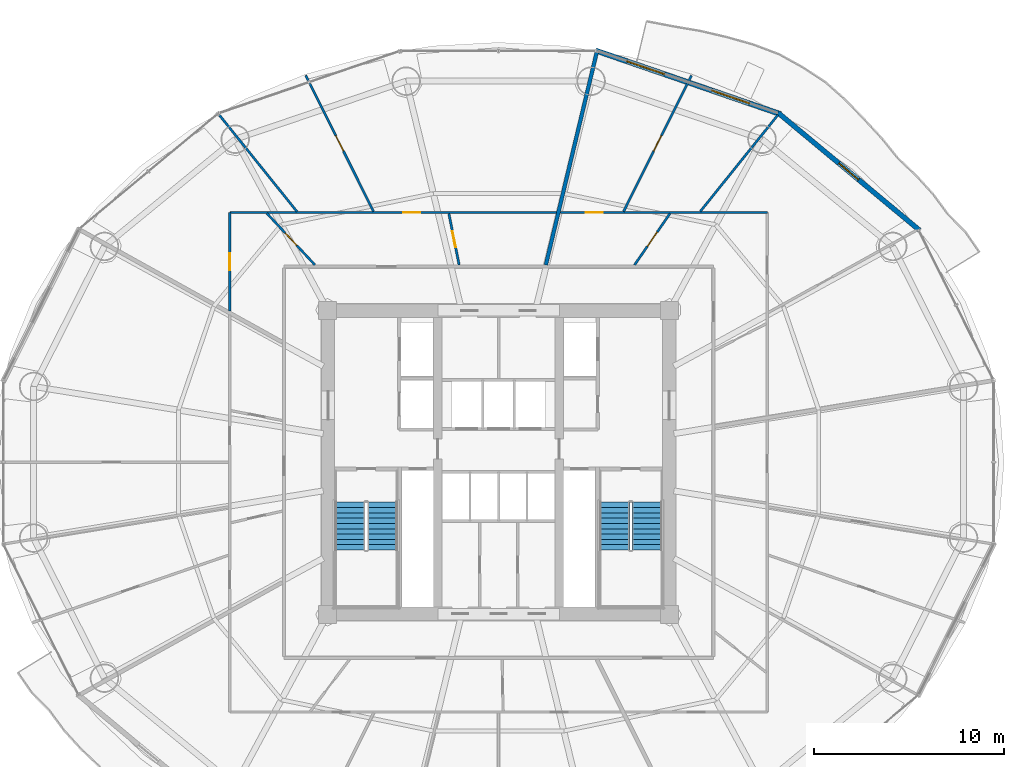
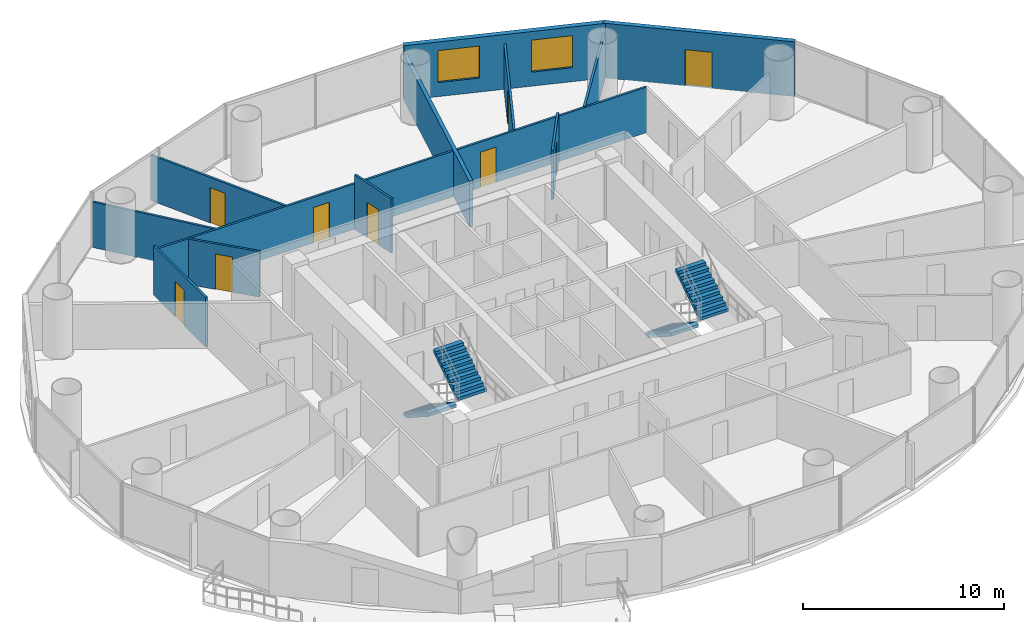
# One storey, part 24 of 28: 13 walls, 9 doors, 4 stair flights, 2 windows, 11 openings, 2 elements without a shape of their own.
"""IFC4 building model written with IfcOpenShell, lengths in metres."""

from ifc_helpers import new_model, si_unit, direction, frame, frame_2d, origin, place, context, subcontext, project, spatial, polyline, rectangle, outline, extrude, source, transform, mapped, material, layer, layer_set, type_object, element, fill, aggregate, save


model = new_model("IFC4")

# Units and contexts
model_context = context("Model", 3, precision=1e-05, world=origin(), true_north=direction((-0.2419218956, 0.970295726276)))
body_context = subcontext(model_context, "Body", "Model", "MODEL_VIEW")
ifc_project = project(units=[si_unit("LENGTHUNIT", "METRE"), si_unit("AREAUNIT", "SQUARE_METRE"), si_unit("VOLUMEUNIT", "CUBIC_METRE"), si_unit("PLANEANGLEUNIT", "RADIAN"), si_unit("MASSUNIT", "GRAM", prefix="KILO")], contexts=[model_context])

# Site, building, storey
site_placement = place(None, origin())
site = spatial("IfcSite", under=ifc_project, at=site_placement, CompositionType="ELEMENT")
building_placement = place(site_placement, origin())
building = spatial("IfcBuilding", under=site, at=building_placement, Name="Cobrevalo Terracotta Tower", CompositionType="ELEMENT")
storey_placement = place(building_placement, frame((0.0, 0.0, 108.60009765625)))
storey = spatial("IfcBuildingStorey", under=building, at=storey_placement, Name="L28", CompositionType="ELEMENT", Elevation=108.60009765625)

# Wall
ifc_material_1 = material(Name="Autoclaved aerated concrete block", Category="concrete")
ifc_layer_1 = layer(ifc_material_1, 0.199951171875)
ifc_layer_set_1 = layer_set([ifc_layer_1], Name="Autoclaved aerated concrete block")
wall_type_1 = type_object("IfcWallType", Name="Fire-rated stair, shaft & demising masonry wall 200 mm", PredefinedType="PARTITIONING", material=ifc_layer_set_1)
wall_1_placement = place(storey_placement, frame((40.486328125, 37.18505859375, 0.0), z_axis=(0.0, 0.0, 1.0), x_axis=(0.232834224261, 0.972516438942, 0.0)))
element("IfcWall", 1, at=wall_1_placement, inside=storey, type_object=wall_type_1, Name="L28 interior partition IW-L28-DEM-2", PredefinedType="PARTITIONING", context=body_context, shape_type="SweptSolid", body=[
    extrude(rectangle(XDim=11.501708984375, YDim=0.199951171875, at=frame_2d((5.7509765625, 0.0))), origin(), (0.0, 0.0, 1.0), 2.766845703125),
])

# Wall, openings, windows
ifc_layer_2 = layer(ifc_material_1, 0.280029296875)
ifc_layer_set_2 = layer_set([ifc_layer_2], Name="Autoclaved aerated concrete block")
wall_type_2 = type_object("IfcWallType", Name="Insulated tower spandrel & pier wall 280 mm with terracotta rainscreen", PredefinedType="SOLIDWALL", material=ifc_layer_set_2)
wall_2_placement = place(storey_placement, frame((52.837158203125, 45.12451171875, 0.0), z_axis=(0.0, 0.0, 1.0), x_axis=(-0.945597432299, 0.325339047809, 0.0)))
wall_2 = element("IfcWall", 2, at=wall_2_placement, inside=storey, type_object=wall_type_2, Name="L28 terracotta rainscreen pier wall S03", PredefinedType="SOLIDWALL", context=body_context, shape_type="SweptSolid", body=[
    extrude(rectangle(XDim=10.2890625, YDim=0.280029296875, at=frame_2d((5.14453125, 0.0))), origin(), (0.0, 0.0, 1.0), 3.324951171875),
])
opening_1_placement = place(wall_2_placement, frame((1.72802734375, 0.0, 0.85009765625)))
opening_1 = element("IfcOpeningElement", 3, at=opening_1_placement, cuts=wall_2, Name="Opening WN-10", PredefinedType="OPENING", context=body_context, shape_type="SweptSolid", body=[
    extrude(rectangle(XDim=2.10009765625, YDim=1.949951171875, at=frame_2d((1.050048828125, 0.97509765625))), frame((0.0, 0.14990234375, 0.0), z_axis=(0.0, -1.0, 0.0), x_axis=(1.0, 0.0, 0.0)), (0.0, 0.0, 1.0), 0.300048828125),
])
opening_2_placement = place(wall_2_placement, frame((6.4609375, 0.0, 0.85009765625)))
opening_2 = element("IfcOpeningElement", 4, at=opening_2_placement, cuts=wall_2, Name="Opening WN-10", PredefinedType="OPENING", context=body_context, shape_type="SweptSolid", body=[
    extrude(rectangle(XDim=2.10009765625, YDim=1.949951171875, at=frame_2d((1.050048828125, 0.97509765625))), frame((0.0, 0.14990234375, 0.0), z_axis=(0.0, -1.0, 0.0), x_axis=(1.0, 0.0, 0.0)), (0.0, 0.0, 1.0), 0.300048828125),
])
ifc_material_2 = material(Name="Solar-control low-E double glazing", Category="glass")
window_type = type_object("IfcWindowType", Name="Wide panoramic low-E aluminium window 2100x1950", PartitioningType="SINGLE_PANEL", PredefinedType="WINDOW", material=ifc_material_2)
shared_shape_1 = source(origin(), body_context, "Body", "SweptSolid", [
    extrude(rectangle(XDim=2.10009765625, YDim=1.949951171875, at=frame_2d((1.050048828125, 0.97509765625))), frame((0.0, 0.030029296875, 0.0), z_axis=(0.0, -1.0, 0.0), x_axis=(1.0, 0.0, 0.0)), (0.0, 0.0, 1.0), 0.06005859375),
])
window_1_placement = place(opening_1_placement, origin())
window_1 = element("IfcWindow", 5, at=window_1_placement, inside=storey, type_object=window_type, Name="L28 suite window S03A", OverallHeight=1.949951171875, OverallWidth=2.10009765625, PartitioningType="SINGLE_PANEL", PredefinedType="WINDOW", context=body_context, shape_type="MappedRepresentation", body=[
    mapped(shared_shape_1, transform((0.0, 0.0, 0.0), scale=1.0)),
])
fill(opening_1, window_1)
window_2_placement = place(opening_2_placement, origin())
window_2 = element("IfcWindow", 6, at=window_2_placement, inside=storey, type_object=window_type, Name="L28 suite window S03B", OverallHeight=1.949951171875, OverallWidth=2.10009765625, PartitioningType="SINGLE_PANEL", PredefinedType="WINDOW", context=body_context, shape_type="MappedRepresentation", body=[
    mapped(shared_shape_1, transform((0.0, 0.0, 0.0), scale=1.0)),
])
fill(opening_2, window_2)

# Wall, opening, door
ifc_layer_3 = layer(ifc_material_1, 0.260009765625)
ifc_layer_set_3 = layer_set([ifc_layer_3], Name="Autoclaved aerated concrete block")
wall_type_3 = type_object("IfcWallType", Name="Recessed balcony loggia insulated exterior wall 260 mm", PredefinedType="SOLIDWALL", material=ifc_layer_set_3)
wall_3_placement = place(storey_placement, frame((60.15380859375, 39.01025390625, 0.0), z_axis=(0.0, 0.0, 1.0), x_axis=(-0.769242574941, 0.638956853706, 0.0)))
wall_3 = element("IfcWall", 7, at=wall_3_placement, inside=storey, type_object=wall_type_3, Name="L28 balcony loggia wall S02", PredefinedType="SOLIDWALL", context=body_context, shape_type="SweptSolid", body=[
    extrude(rectangle(XDim=9.68994140625, YDim=0.260009765625, at=frame_2d((4.844970703125, 0.0))), origin(), (0.0, 0.0, 1.0), 3.324951171875),
])
opening_3_placement = place(wall_3_placement, frame((4.169921875, 0.0, 0.0)))
opening_3 = element("IfcOpeningElement", 8, at=opening_3_placement, cuts=wall_3, Name="Opening ED-05", PredefinedType="OPENING", context=body_context, shape_type="SweptSolid", body=[
    extrude(rectangle(XDim=1.35009765625, YDim=2.199951171875, at=frame_2d((0.675048828125, 1.10009765625))), frame((0.0, 0.14013671875, 0.0), z_axis=(0.0, -1.0, 0.0), x_axis=(1.0, 0.0, 0.0)), (0.0, 0.0, 1.0), 0.280029296875),
])
ifc_material_3 = material(Name="Anodized aluminium and laminated glass", Category="aluminium")
door_type_1 = type_object("IfcDoorType", Name="Suite balcony acoustic glazed terrace door 1350x2200", OperationType="NOTDEFINED", PredefinedType="DOOR", material=ifc_material_3)
shared_shape_2 = source(origin(), body_context, "Body", "SweptSolid", [
    extrude(rectangle(XDim=1.35009765625, YDim=2.199951171875, at=frame_2d((0.675048828125, 1.10009765625))), frame((0.0, 0.02490234375, 0.0), z_axis=(0.0, -1.0, 0.0), x_axis=(1.0, 0.0, 0.0)), (0.0, 0.0, 1.0), 0.050048828125),
])
door_1_placement = place(opening_3_placement, frame((1.35009765625, 0.0, 0.0), z_axis=(0.0, 0.0, 1.0), x_axis=(-1.0, 0.0, 0.0)))
door_1 = element("IfcDoor", 9, at=door_1_placement, inside=storey, type_object=door_type_1, Name="L28 glazed balcony terrace door 1", OperationType="SINGLE_SWING_LEFT", OverallHeight=2.199951171875, OverallWidth=1.35009765625, PredefinedType="DOOR", context=body_context, shape_type="MappedRepresentation", body=[
    mapped(shared_shape_2, transform((0.0, 0.0, 0.0), scale=1.0)),
])
fill(opening_3, door_1)

ifc_material_4 = material(Name="Gypsum board on steel stud", Category="steel")
ifc_layer_4 = layer(ifc_material_4, 0.1201171875)
ifc_layer_set_4 = layer_set([ifc_layer_4], Name="Gypsum board on steel stud")
wall_type_4 = type_object("IfcWallType", Name="Residential internal acoustic stud partition 120 mm", PredefinedType="PARTITIONING", material=ifc_layer_set_4)
wall_4_placement = place(storey_placement, frame((41.2490234375, 39.945068359375, 0.0), z_axis=(0.0, 0.0, 1.0), x_axis=(1.0, 0.0, 0.0)))
wall_4 = element("IfcWall", 10, at=wall_4_placement, inside=storey, type_object=wall_type_4, Name="L28 interior partition IW-L28-U1-RING0_0", PredefinedType="PARTITIONING", context=body_context, shape_type="SweptSolid", body=[
    extrude(rectangle(XDim=10.89599609375, YDim=0.1201171875, at=frame_2d((5.447998046875, 0.0))), origin(), (0.0, 0.0, 1.0), 2.766845703125),
])
opening_4_placement = place(wall_4_placement, frame((1.336181640625, 0.0, 0.0)))
opening_4 = element("IfcOpeningElement", 11, at=opening_4_placement, cuts=wall_4, Name="Opening ID-12", PredefinedType="OPENING", context=body_context, shape_type="SweptSolid", body=[
    extrude(rectangle(XDim=0.89990234375, YDim=2.14990234375, at=frame_2d((0.449951171875, 1.074951171875))), frame((0.0, 0.070068359375, 0.0), z_axis=(0.0, -1.0, 0.0), x_axis=(1.0, 0.0, 0.0)), (0.0, 0.0, 1.0), 0.14013671875),
])
ifc_material_5 = material(Name="Engineered timber", Category="wood")
door_type_2 = type_object("IfcDoorType", Name="Internal residence & suite timber door 900x2150", OperationType="NOTDEFINED", PredefinedType="DOOR", material=ifc_material_5)
shared_shape_3 = source(origin(), body_context, "Body", "SweptSolid", [
    extrude(rectangle(XDim=0.89990234375, YDim=2.14990234375, at=frame_2d((0.449951171875, 1.074951171875))), frame((0.0, 0.02490234375, 0.0), z_axis=(0.0, -1.0, 0.0), x_axis=(1.0, 0.0, 0.0)), (0.0, 0.0, 1.0), 0.050048828125),
])
door_2_placement = place(opening_4_placement, origin())
door_2 = element("IfcDoor", 12, at=door_2_placement, inside=storey, type_object=door_type_2, Name="Flat L28A Penthouse Family Lounge internal door", OperationType="SINGLE_SWING_LEFT", OverallHeight=2.14990234375, OverallWidth=0.89990234375, PredefinedType="DOOR", context=body_context, shape_type="MappedRepresentation", body=[
    mapped(shared_shape_3, transform((0.0, 0.0, 0.0), scale=1.0)),
])
fill(opening_4, door_2)

# Wall
wall_5_placement = place(storey_placement, frame((48.610595703125, 39.993408203125, 0.0), z_axis=(0.0, 0.0, 1.0), x_axis=(0.626719700294, 0.779244773651, 0.0)))
element("IfcWall", 13, at=wall_5_placement, inside=storey, type_object=wall_type_4, Name="L28 interior partition IW-L28-U1-ORAD2", PredefinedType="PARTITIONING", context=body_context, shape_type="SweptSolid", body=[
    extrude(rectangle(XDim=6.537109375, YDim=0.1201171875, at=frame_2d((3.2685546875, 0.0))), origin(), (0.0, 0.0, 1.0), 2.766845703125),
])

# Wall, opening, door
wall_6_placement = place(storey_placement, frame((44.5810546875, 40.00048828125, 0.0), z_axis=(0.0, 0.0, 1.0), x_axis=(0.446188142997, 0.894939182877, 0.0)))
wall_6 = element("IfcWall", 14, at=wall_6_placement, inside=storey, type_object=wall_type_4, Name="L28 interior partition IW-L28-U1-ORAD3M1", PredefinedType="PARTITIONING", context=body_context, shape_type="SweptSolid", body=[
    extrude(rectangle(XDim=8.001708984375, YDim=0.1201171875, at=frame_2d((4.0009765625, 0.0))), origin(), (0.0, 0.0, 1.0), 2.766845703125),
])
opening_5_placement = place(wall_6_placement, frame((3.55078125, 0.0, 0.0)))
opening_5 = element("IfcOpeningElement", 15, at=opening_5_placement, cuts=wall_6, Name="Opening ID-12", PredefinedType="OPENING", context=body_context, shape_type="SweptSolid", body=[
    extrude(rectangle(XDim=0.89990234375, YDim=2.14990234375, at=frame_2d((0.449951171875, 1.074951171875))), frame((0.0, 0.070068359375, 0.0), z_axis=(0.0, -1.0, 0.0), x_axis=(1.0, 0.0, 0.0)), (0.0, 0.0, 1.0), 0.14013671875),
])
door_3_placement = place(opening_5_placement, frame((0.89990234375, 0.0, 0.0), z_axis=(0.0, 0.0, 1.0), x_axis=(-1.0, 0.0, 0.0)))
door_3 = element("IfcDoor", 16, at=door_3_placement, inside=storey, type_object=door_type_2, Name="Flat L28A Principal Guest Bedroom internal door", OperationType="SINGLE_SWING_LEFT", OverallHeight=2.14990234375, OverallWidth=0.89990234375, PredefinedType="DOOR", context=body_context, shape_type="MappedRepresentation", body=[
    mapped(shared_shape_3, transform((0.0, 0.0, 0.0), scale=1.0)),
])
fill(opening_5, door_3)

wall_7_placement = place(storey_placement, frame((45.1552734375, 37.18505859375, 0.0), z_axis=(0.0, 0.0, 1.0), x_axis=(0.567360037454, 0.823469846382, 0.0)))
wall_7 = element("IfcWall", 17, at=wall_7_placement, inside=storey, type_object=wall_type_4, Name="L28 interior partition IW-L28-U1-IRAD2", PredefinedType="PARTITIONING", context=body_context, shape_type="SweptSolid", body=[
    extrude(rectangle(XDim=3.289794921875, YDim=0.1201171875, at=frame_2d((1.64501953125, 0.0))), origin(), (0.0, 0.0, 1.0), 3.00390625),
])
opening_6_placement = place(wall_7_placement, frame((1.19482421875, 0.0, 0.0)))
opening_6 = element("IfcOpeningElement", 18, at=opening_6_placement, cuts=wall_7, Name="Opening ID-12", PredefinedType="OPENING", context=body_context, shape_type="SweptSolid", body=[
    extrude(rectangle(XDim=0.89990234375, YDim=2.14990234375, at=frame_2d((0.449951171875, 1.074951171875))), frame((0.0, 0.070068359375, 0.0), z_axis=(0.0, -1.0, 0.0), x_axis=(1.0, 0.0, 0.0)), (0.0, 0.0, 1.0), 0.14013671875),
])
door_4_placement = place(opening_6_placement, origin())
door_4 = element("IfcDoor", 19, at=door_4_placement, inside=storey, type_object=door_type_2, Name="Flat L28A Kitchen internal door", OperationType="SINGLE_SWING_RIGHT", OverallHeight=2.14990234375, OverallWidth=0.89990234375, PredefinedType="DOOR", context=body_context, shape_type="MappedRepresentation", body=[
    mapped(shared_shape_3, transform((0.0, 0.0, 0.0), scale=1.0)),
])
fill(opening_6, door_4)

wall_8_placement = place(storey_placement, frame((23.85498046875, 34.75439453125, 0.0), z_axis=(0.0, 0.0, 1.0), x_axis=(0.0, 1.0, 0.0)))
wall_8 = element("IfcWall", 20, at=wall_8_placement, inside=storey, type_object=wall_type_4, Name="L28 interior partition IW-L28-U2-RING0_0", PredefinedType="PARTITIONING", context=body_context, shape_type="SweptSolid", body=[
    extrude(rectangle(XDim=5.190673828125, YDim=0.1201171875, at=frame_2d((2.59521484375, 0.0))), origin(), (0.0, 0.0, 1.0), 3.00390625),
])
opening_7_placement = place(wall_8_placement, frame((2.145263671875, 0.0, 0.0)))
opening_7 = element("IfcOpeningElement", 21, at=opening_7_placement, cuts=wall_8, Name="Opening ID-12", PredefinedType="OPENING", context=body_context, shape_type="SweptSolid", body=[
    extrude(rectangle(XDim=0.89990234375, YDim=2.14990234375, at=frame_2d((0.449951171875, 1.074951171875))), frame((0.0, 0.070068359375, 0.0), z_axis=(0.0, -1.0, 0.0), x_axis=(1.0, 0.0, 0.0)), (0.0, 0.0, 1.0), 0.14013671875),
])
door_5_placement = place(opening_7_placement, origin())
door_5 = element("IfcDoor", 22, at=door_5_placement, inside=storey, type_object=door_type_2, Name="Flat L28B Principal Guest Bedroom internal door", OperationType="SINGLE_SWING_RIGHT", OverallHeight=2.14990234375, OverallWidth=0.89990234375, PredefinedType="DOOR", context=body_context, shape_type="MappedRepresentation", body=[
    mapped(shared_shape_3, transform((0.0, 0.0, 0.0), scale=1.0)),
])
fill(opening_7, door_5)

wall_9_placement = place(storey_placement, frame((23.85498046875, 39.945068359375, 0.0), z_axis=(0.0, 0.0, 1.0), x_axis=(1.0, 0.0, 0.0)))
wall_9 = element("IfcWall", 23, at=wall_9_placement, inside=storey, type_object=wall_type_4, Name="L28 interior partition IW-L28-U2-RING1_0", PredefinedType="PARTITIONING", context=body_context, shape_type="SweptSolid", body=[
    extrude(rectangle(XDim=17.190185546875, YDim=0.1201171875, at=frame_2d((8.59521484375, 0.0))), origin(), (0.0, 0.0, 1.0), 2.766845703125),
])
opening_8_placement = place(wall_9_placement, frame((9.133056640625, 0.0, 0.0)))
opening_8 = element("IfcOpeningElement", 24, at=opening_8_placement, cuts=wall_9, Name="Opening ID-12", PredefinedType="OPENING", context=body_context, shape_type="SweptSolid", body=[
    extrude(rectangle(XDim=0.89990234375, YDim=2.14990234375, at=frame_2d((0.449951171875, 1.074951171875))), frame((0.0, 0.070068359375, 0.0), z_axis=(0.0, -1.0, 0.0), x_axis=(1.0, 0.0, 0.0)), (0.0, 0.0, 1.0), 0.14013671875),
])
door_6_placement = place(opening_8_placement, origin())
door_6 = element("IfcDoor", 25, at=door_6_placement, inside=storey, type_object=door_type_2, Name="Flat L28B Penthouse Living and Dining Room internal door", OperationType="SINGLE_SWING_LEFT", OverallHeight=2.14990234375, OverallWidth=0.89990234375, PredefinedType="DOOR", context=body_context, shape_type="MappedRepresentation", body=[
    mapped(shared_shape_3, transform((0.0, 0.0, 0.0), scale=1.0)),
])
fill(opening_8, door_6)

wall_10_placement = place(storey_placement, frame((31.4189453125, 40.00048828125, 0.0), z_axis=(0.0, 0.0, 1.0), x_axis=(-0.446188142997, 0.894939182877, 0.0)))
wall_10 = element("IfcWall", 26, at=wall_10_placement, inside=storey, type_object=wall_type_4, Name="L28 interior partition IW-L28-U2-ORAD1", PredefinedType="PARTITIONING", context=body_context, shape_type="SweptSolid", body=[
    extrude(rectangle(XDim=8.001708984375, YDim=0.1201171875, at=frame_2d((4.0009765625, 0.0))), origin(), (0.0, 0.0, 1.0), 2.766845703125),
])
opening_9_placement = place(wall_10_placement, frame((3.55078125, 0.0, 0.0)))
opening_9 = element("IfcOpeningElement", 27, at=opening_9_placement, cuts=wall_10, Name="Opening ID-12", PredefinedType="OPENING", context=body_context, shape_type="SweptSolid", body=[
    extrude(rectangle(XDim=0.89990234375, YDim=2.14990234375, at=frame_2d((0.449951171875, 1.074951171875))), frame((0.0, 0.070068359375, 0.0), z_axis=(0.0, -1.0, 0.0), x_axis=(1.0, 0.0, 0.0)), (0.0, 0.0, 1.0), 0.14013671875),
])
door_7_placement = place(opening_9_placement, origin())
door_7 = element("IfcDoor", 28, at=door_7_placement, inside=storey, type_object=door_type_2, Name="Flat L28B Master Bedroom internal door", OperationType="SINGLE_SWING_LEFT", OverallHeight=2.14990234375, OverallWidth=0.89990234375, PredefinedType="DOOR", context=body_context, shape_type="MappedRepresentation", body=[
    mapped(shared_shape_3, transform((0.0, 0.0, 0.0), scale=1.0)),
])
fill(opening_9, door_7)

# Wall
wall_11_placement = place(storey_placement, frame((27.389404296875, 39.993408203125, 0.0), z_axis=(0.0, 0.0, 1.0), x_axis=(-0.626719700294, 0.779244773651, 0.0)))
element("IfcWall", 29, at=wall_11_placement, inside=storey, type_object=wall_type_4, Name="L28 interior partition IW-L28-U2-ORAD2", PredefinedType="PARTITIONING", context=body_context, shape_type="SweptSolid", body=[
    extrude(rectangle(XDim=6.537109375, YDim=0.1201171875, at=frame_2d((3.2685546875, 0.0))), origin(), (0.0, 0.0, 1.0), 2.766845703125),
])

# Wall, opening, door
wall_12_placement = place(storey_placement, frame((35.924560546875, 37.18505859375, 0.0), z_axis=(0.0, 0.0, 1.0), x_axis=(-0.196013794811, 0.980601138202, 0.0)))
wall_12 = element("IfcWall", 30, at=wall_12_placement, inside=storey, type_object=wall_type_4, Name="L28 interior partition IW-L28-U2-IRAD1", PredefinedType="PARTITIONING", context=body_context, shape_type="SweptSolid", body=[
    extrude(rectangle(XDim=2.752685546875, YDim=0.1201171875, at=frame_2d((1.37646484375, 0.0))), origin(), (0.0, 0.0, 1.0), 3.324951171875),
])
opening_10_placement = place(wall_12_placement, frame((0.9462890625, 0.0, 0.0)))
opening_10 = element("IfcOpeningElement", 31, at=opening_10_placement, cuts=wall_12, Name="Opening ID-19", PredefinedType="OPENING", context=body_context, shape_type="SweptSolid", body=[
    extrude(rectangle(XDim=0.860107421875, YDim=2.14990234375, at=frame_2d((0.43017578125, 1.074951171875))), frame((0.0, 0.070068359375, 0.0), z_axis=(0.0, -1.0, 0.0), x_axis=(1.0, 0.0, 0.0)), (0.0, 0.0, 1.0), 0.14013671875),
])
ifc_material_6 = material(Name="Moisture-sealed timber", Category="wood")
door_type_3 = type_object("IfcDoorType", Name="Suite bathroom internal timber door 860x2150", OperationType="NOTDEFINED", PredefinedType="DOOR", material=ifc_material_6)
shared_shape_4 = source(origin(), body_context, "Body", "SweptSolid", [
    extrude(rectangle(XDim=0.860107421875, YDim=2.14990234375, at=frame_2d((0.43017578125, 1.074951171875))), frame((0.0, 0.02490234375, 0.0), z_axis=(0.0, -1.0, 0.0), x_axis=(1.0, 0.0, 0.0)), (0.0, 0.0, 1.0), 0.050048828125),
])
door_8_placement = place(opening_10_placement, frame((0.860107421875, 0.0, 0.0), z_axis=(0.0, 0.0, 1.0), x_axis=(-1.0, 0.0, 0.0)))
door_8 = element("IfcDoor", 32, at=door_8_placement, inside=storey, type_object=door_type_3, Name="Flat L28B Primary Bathroom internal door", OperationType="SINGLE_SWING_RIGHT", OverallHeight=2.14990234375, OverallWidth=0.860107421875, PredefinedType="DOOR", context=body_context, shape_type="MappedRepresentation", body=[
    mapped(shared_shape_4, transform((0.0, 0.0, 0.0), scale=1.0)),
])
fill(opening_10, door_8)

wall_13_placement = place(storey_placement, frame((28.335205078125, 37.18505859375, 0.0), z_axis=(0.0, 0.0, 1.0), x_axis=(-0.681236086606, 0.732063791145, 0.0)))
wall_13 = element("IfcWall", 33, at=wall_13_placement, inside=storey, type_object=wall_type_4, Name="L28 interior partition IW-L28-U2-IRAD2", PredefinedType="PARTITIONING", context=body_context, shape_type="SweptSolid", body=[
    extrude(rectangle(XDim=3.708251953125, YDim=0.1201171875, at=frame_2d((1.85400390625, 0.0))), origin(), (0.0, 0.0, 1.0), 2.766845703125),
])
opening_11_placement = place(wall_13_placement, frame((1.404052734375, 0.0, 0.0)))
opening_11 = element("IfcOpeningElement", 34, at=opening_11_placement, cuts=wall_13, Name="Opening ID-12", PredefinedType="OPENING", context=body_context, shape_type="SweptSolid", body=[
    extrude(rectangle(XDim=0.89990234375, YDim=2.14990234375, at=frame_2d((0.449951171875, 1.074951171875))), frame((0.0, 0.070068359375, 0.0), z_axis=(0.0, -1.0, 0.0), x_axis=(1.0, 0.0, 0.0)), (0.0, 0.0, 1.0), 0.14013671875),
])
door_9_placement = place(opening_11_placement, origin())
door_9 = element("IfcDoor", 35, at=door_9_placement, inside=storey, type_object=door_type_2, Name="Flat L28B Kitchen internal door", OperationType="SINGLE_SWING_RIGHT", OverallHeight=2.14990234375, OverallWidth=0.89990234375, PredefinedType="DOOR", context=body_context, shape_type="MappedRepresentation", body=[
    mapped(shared_shape_3, transform((0.0, 0.0, 0.0), scale=1.0)),
])
fill(opening_11, door_9)

# Stair, stair flights
ifc_material_7 = material(Name="Concrete C50", Category="concrete")
stair_type = type_object("IfcStairType", Name="Core protected escape dogleg stair 1600", PredefinedType="HALF_TURN_STAIR", material=ifc_material_7)
stair_1_placement = place(storey_placement, origin())
stair_1 = element("IfcStair", 36, at=stair_1_placement, inside=storey, type_object=stair_type, Name="L28 Protected exit stair ST-1", PredefinedType="HALF_TURN_STAIR")
stair_flight_type = type_object("IfcStairFlightType", Name="Core protected escape dogleg stair 1600 flight", PredefinedType="STRAIGHT", material=ifc_material_7)
stair_flight_1_placement = place(storey_placement, frame((30.175048828125, 24.699951171875, 0.0), z_axis=(0.0, 0.0, 1.0), x_axis=(0.0, -1.0, 0.0)))
stair_flight_1 = element("IfcStairFlight", 37, at=stair_flight_1_placement, type_object=stair_flight_type, Name="ST-1 flight 1", NumberOfRisers=10, NumberOfTreads=9, PredefinedType="STRAIGHT", RiserHeight=0.18, TreadLength=0.28, context=body_context, shape_type="SweptSolid", body=[
    extrude(outline(polyline([(0.0, 0.0), (0.0, 0.179931640625), (0.280029296875, 0.179931640625), (0.280029296875, 0.360107421875), (0.56005859375, 0.360107421875), (0.56005859375, 0.5400390625), (0.840087890625, 0.5400390625), (0.840087890625, 0.719970703125), (1.1201171875, 0.719970703125), (1.1201171875, 0.89990234375), (1.39990234375, 0.89990234375), (1.39990234375, 1.080078125), (1.679931640625, 1.080078125), (1.679931640625, 1.260009765625), (1.9599609375, 1.260009765625), (1.9599609375, 1.43994140625), (2.239990234375, 1.43994140625), (2.239990234375, 1.6201171875), (2.52001953125, 1.6201171875), (2.52001953125, 1.800048828125), (2.52001953125, 1.429931640625), (0.295654296875, 0.0), (0.0, 0.0)])), frame((0.0, 0.800048828125, 0.0), z_axis=(0.0, -1.0, 0.0), x_axis=(1.0, 0.0, 0.0)), (0.0, 0.0, 1.0), 1.60009765625),
])
stair_flight_2_placement = place(storey_placement, frame((31.89501953125, 22.179931640625, 1.7998046875), z_axis=(0.0, 0.0, 1.0), x_axis=(0.0, 1.0, 0.0)))
stair_flight_2 = element("IfcStairFlight", 38, at=stair_flight_2_placement, type_object=stair_flight_type, Name="ST-1 flight 2", NumberOfRisers=10, NumberOfTreads=9, PredefinedType="STRAIGHT", RiserHeight=0.18, TreadLength=0.28, context=body_context, shape_type="SweptSolid", body=[
    extrude(outline(polyline([(0.0, 0.0), (0.0, 0.179931640625), (0.280029296875, 0.179931640625), (0.280029296875, 0.360107421875), (0.56005859375, 0.360107421875), (0.56005859375, 0.5400390625), (0.840087890625, 0.5400390625), (0.840087890625, 0.719970703125), (1.1201171875, 0.719970703125), (1.1201171875, 0.89990234375), (1.39990234375, 0.89990234375), (1.39990234375, 1.080078125), (1.679931640625, 1.080078125), (1.679931640625, 1.260009765625), (1.9599609375, 1.260009765625), (1.9599609375, 1.43994140625), (2.239990234375, 1.43994140625), (2.239990234375, 1.6201171875), (2.52001953125, 1.6201171875), (2.52001953125, 1.800048828125), (2.52001953125, 1.429931640625), (0.295654296875, 0.0), (0.0, 0.0)])), frame((0.0, 0.800048828125, 0.0), z_axis=(0.0, -1.0, 0.0), x_axis=(1.0, 0.0, 0.0)), (0.0, 0.0, 1.0), 1.60009765625),
])
aggregate(stair_1, [stair_flight_1, stair_flight_2])

stair_2_placement = place(storey_placement, origin())
stair_2 = element("IfcStair", 39, at=stair_2_placement, inside=storey, type_object=stair_type, Name="L28 Protected exit stair ST-2", PredefinedType="HALF_TURN_STAIR")
stair_flight_3_placement = place(storey_placement, frame((44.10498046875, 24.699951171875, 0.0), z_axis=(0.0, 0.0, 1.0), x_axis=(0.0, -1.0, 0.0)))
stair_flight_3 = element("IfcStairFlight", 40, at=stair_flight_3_placement, type_object=stair_flight_type, Name="ST-2 flight 1", NumberOfRisers=10, NumberOfTreads=9, PredefinedType="STRAIGHT", RiserHeight=0.18, TreadLength=0.28, context=body_context, shape_type="SweptSolid", body=[
    extrude(outline(polyline([(0.0, 0.0), (0.0, 0.179931640625), (0.280029296875, 0.179931640625), (0.280029296875, 0.360107421875), (0.56005859375, 0.360107421875), (0.56005859375, 0.5400390625), (0.840087890625, 0.5400390625), (0.840087890625, 0.719970703125), (1.1201171875, 0.719970703125), (1.1201171875, 0.89990234375), (1.39990234375, 0.89990234375), (1.39990234375, 1.080078125), (1.679931640625, 1.080078125), (1.679931640625, 1.260009765625), (1.9599609375, 1.260009765625), (1.9599609375, 1.43994140625), (2.239990234375, 1.43994140625), (2.239990234375, 1.6201171875), (2.52001953125, 1.6201171875), (2.52001953125, 1.800048828125), (2.52001953125, 1.429931640625), (0.295654296875, 0.0), (0.0, 0.0)])), frame((0.0, 0.800048828125, 0.0), z_axis=(0.0, -1.0, 0.0), x_axis=(1.0, 0.0, 0.0)), (0.0, 0.0, 1.0), 1.60009765625),
])
stair_flight_4_placement = place(storey_placement, frame((45.824951171875, 22.179931640625, 1.7998046875), z_axis=(0.0, 0.0, 1.0), x_axis=(0.0, 1.0, 0.0)))
stair_flight_4 = element("IfcStairFlight", 41, at=stair_flight_4_placement, type_object=stair_flight_type, Name="ST-2 flight 2", NumberOfRisers=10, NumberOfTreads=9, PredefinedType="STRAIGHT", RiserHeight=0.18, TreadLength=0.28, context=body_context, shape_type="SweptSolid", body=[
    extrude(outline(polyline([(0.0, 0.0), (0.0, 0.179931640625), (0.280029296875, 0.179931640625), (0.280029296875, 0.360107421875), (0.56005859375, 0.360107421875), (0.56005859375, 0.5400390625), (0.840087890625, 0.5400390625), (0.840087890625, 0.719970703125), (1.1201171875, 0.719970703125), (1.1201171875, 0.89990234375), (1.39990234375, 0.89990234375), (1.39990234375, 1.080078125), (1.679931640625, 1.080078125), (1.679931640625, 1.260009765625), (1.9599609375, 1.260009765625), (1.9599609375, 1.43994140625), (2.239990234375, 1.43994140625), (2.239990234375, 1.6201171875), (2.52001953125, 1.6201171875), (2.52001953125, 1.800048828125), (2.52001953125, 1.429931640625), (0.295654296875, 0.0), (0.0, 0.0)])), frame((0.0, 0.800048828125, 0.0), z_axis=(0.0, -1.0, 0.0), x_axis=(1.0, 0.0, 0.0)), (0.0, 0.0, 1.0), 1.60009765625),
])
aggregate(stair_2, [stair_flight_3, stair_flight_4])

save(model, "model.ifc")
